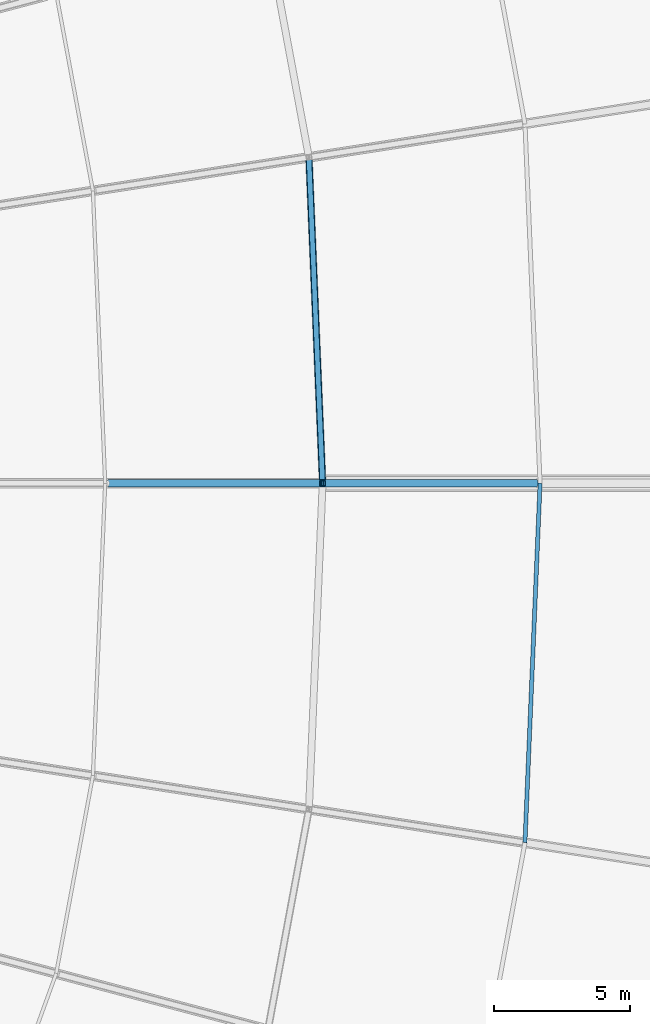
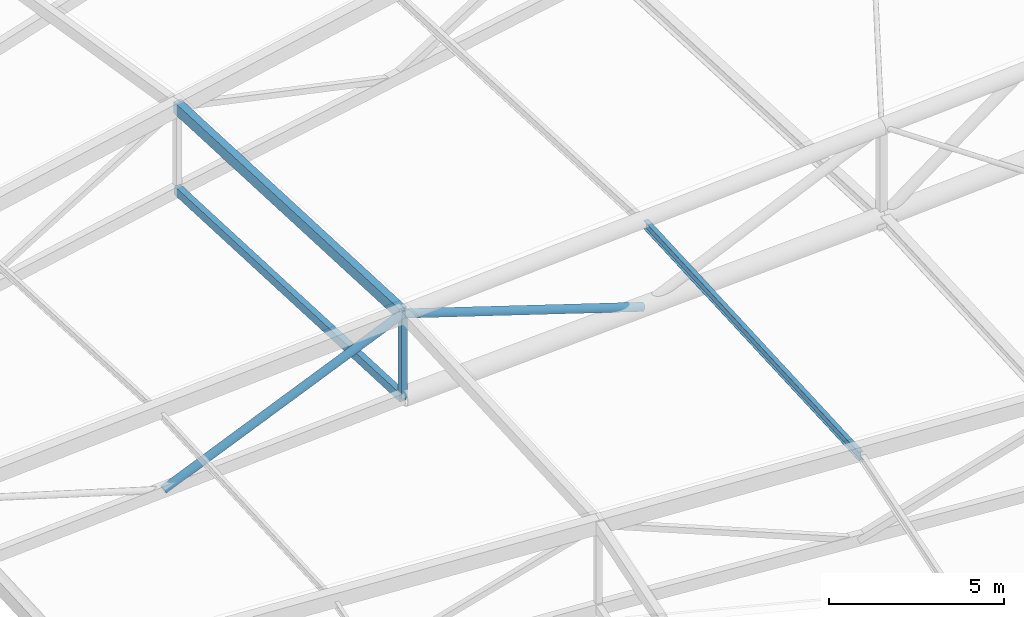
# One storey, part 72 of 143: 5 members, 1 beam.
"""IFC4 building model written with IfcOpenShell, lengths in metres."""

from ifc_helpers import new_model, si_unit, direction, frame, origin, origin_2d, place, context, subcontext, project, spatial, hollow_rectangle, hollow_circle, i_section, extrude, material, material_profile, profile_set, type_object, element, save


model = new_model("IFC4")

# Units and contexts
model_context = context("Model", 3, precision=1e-05, world=origin(), true_north=direction((0.0, 1.0)))
body_context = subcontext(model_context, "Body", "Model", "MODEL_VIEW")
ifc_project = project(units=[si_unit("LENGTHUNIT", "METRE"), si_unit("AREAUNIT", "SQUARE_METRE"), si_unit("VOLUMEUNIT", "CUBIC_METRE"), si_unit("PLANEANGLEUNIT", "RADIAN"), si_unit("MASSUNIT", "GRAM", prefix="KILO")], contexts=[model_context])

# Site, building, storey
site_placement = place(None, origin())
site = spatial("IfcSite", under=ifc_project, at=site_placement, CompositionType="ELEMENT")
building_placement = place(site_placement, origin())
building = spatial("IfcBuilding", under=site, at=building_placement, Name="Mphavela Belvedere Stadium", CompositionType="ELEMENT")
storey_placement = place(building_placement, frame((0.0, 0.0, 28.800048828125)))
storey = spatial("IfcBuildingStorey", under=building, at=storey_placement, Name="RF", CompositionType="ELEMENT", Elevation=28.800048828125)

# Beam
ifc_material_1 = material(Name="Steel S355", Category="steel")
ifc_material_profile_1 = material_profile(ifc_material_1, hollow_rectangle(XDim=0.25, YDim=0.39990234375, WallThickness=0.01611328125, at=origin_2d()), Name="RHS 400x250x16")
ifc_profile_set_1 = profile_set([ifc_material_profile_1], Name="Steel S355")
beam_type = type_object("IfcBeamType", Name="BM-RING-MID", PredefinedType="BEAM", material=ifc_profile_set_1)
beam_placement = place(storey_placement, frame((192.842529296875, 87.0, 2.490234375), z_axis=(-0.041906581182, 0.999068348561, 0.010308896972), x_axis=(-0.999121439966, -0.041908808136, 0.0)))
element("IfcBeam", 1, at=beam_placement, inside=storey, type_object=beam_type, Name="Intermediate roof ring beam RB-MID-01", PredefinedType="BEAM", context=body_context, shape_type="SweptSolid", body=[
    extrude(hollow_rectangle(XDim=0.25, YDim=0.39990234375, WallThickness=0.01611328125, at=origin_2d()), origin(), (0.0, 0.0, 1.0), 12.007080078125),
])

# Members
ifc_material_2 = material(Name="Steel S355", Category="steel")
ifc_material_profile_2 = material_profile(ifc_material_2, hollow_circle(Radius=0.136474609375, WallThickness=0.012451171875, at=origin_2d()), Name="CHS 273x12.5")
ifc_profile_set_2 = profile_set([ifc_material_profile_2], Name="Steel S355")
member_type_1 = type_object("IfcMemberType", Name="MEM-DIAG-273", PredefinedType="BRACE", material=ifc_profile_set_2)
member_1_placement = place(storey_placement, frame((200.7236328125, 87.0, -0.0390625), z_axis=(-0.952166261379, 0.0, 0.305580448805), x_axis=(0.0, -1.0, 0.0)))
element("IfcMember", 2, at=member_1_placement, inside=storey, type_object=member_type_1, Name="Radial roof truss RT-01 web diagonal D4", PredefinedType="BRACE", context=body_context, shape_type="SweptSolid", body=[
    extrude(hollow_circle(Radius=0.136474609375, WallThickness=0.012451171875, at=origin_2d()), origin(), (0.0, 0.0, 1.0), 8.277099609375),
])
member_2_placement = place(storey_placement, frame((192.842529296875, 87.0, 2.490234375), z_axis=(-0.919445293254, 0.0, -0.393217945563), x_axis=(0.0, -1.0, 0.0)))
element("IfcMember", 3, at=member_2_placement, inside=storey, type_object=member_type_1, Name="Radial roof truss RT-01 web diagonal D5", PredefinedType="BRACE", context=body_context, shape_type="SweptSolid", body=[
    extrude(hollow_circle(Radius=0.136474609375, WallThickness=0.012451171875, at=origin_2d()), origin(), (0.0, 0.0, 1.0), 8.57177734375),
])
ifc_material_3 = material(Name="Steel S355", Category="steel")
ifc_material_profile_3 = material_profile(ifc_material_3, hollow_rectangle(XDim=0.199951171875, YDim=0.199951171875, WallThickness=0.010009765625, at=origin_2d()), Name="SHS 200x200x10")
ifc_profile_set_3 = profile_set([ifc_material_profile_3], Name="Steel S355")
member_type_2 = type_object("IfcMemberType", Name="MEM-POST-SHS200", PredefinedType="POST", material=ifc_profile_set_3)
member_3_placement = place(storey_placement, frame((192.842529296875, 87.0, -0.40966796875), z_axis=(0.0, 0.0, 1.0), x_axis=(1.0, 0.0, 0.0)))
element("IfcMember", 4, at=member_3_placement, inside=storey, type_object=member_type_2, Name="Radial roof truss RT-01 post P3", PredefinedType="POST", context=body_context, shape_type="SweptSolid", body=[
    extrude(hollow_rectangle(XDim=0.199951171875, YDim=0.199951171875, WallThickness=0.010009765625, at=origin_2d()), origin(), (0.0, 0.0, 1.0), 2.89990234375),
])
ifc_material_4 = material(Name="Steel S355", Category="steel")
ifc_material_profile_4 = material_profile(ifc_material_4, i_section(OverallWidth=0.14990234375, OverallDepth=0.300048828125, WebThickness=0.007080078125, FlangeThickness=0.0107421875, at=origin_2d()), Name="IPE 300")
ifc_profile_set_4 = profile_set([ifc_material_profile_4], Name="Steel S355")
member_type_3 = type_object("IfcMemberType", Name="MEM-PURLIN-IPE300", PredefinedType="PURLIN", material=ifc_profile_set_4)
member_4_placement = place(storey_placement, frame((200.2900390625, 73.77099609375, 2.93994140625), z_axis=(0.041909020321, 0.999068268854, -0.010306705833), x_axis=(-0.999121337686, 0.041911246458, 0.0)))
element("IfcMember", 5, at=member_4_placement, inside=storey, type_object=member_type_3, Name="Saddle canopy steel purlin 48-2", PredefinedType="PURLIN", context=body_context, shape_type="SweptSolid", body=[
    extrude(i_section(OverallWidth=0.14990234375, OverallDepth=0.300048828125, WebThickness=0.007080078125, FlangeThickness=0.0107421875, at=origin_2d()), origin(), (0.0, 0.0, 1.0), 13.241455078125),
])
ifc_material_5 = material(Name="Steel S355", Category="steel")
ifc_material_profile_5 = material_profile(ifc_material_5, hollow_rectangle(XDim=0.199951171875, YDim=0.300048828125, WallThickness=0.011962890625, at=origin_2d()), Name="RHS 300x200x12")
ifc_profile_set_5 = profile_set([ifc_material_profile_5], Name="Steel S355")
member_type_4 = type_object("IfcMemberType", Name="MEM-SEC-CHORD", PredefinedType="CHORD", material=ifc_profile_set_5)
member_5_placement = place(storey_placement, frame((192.842529296875, 87.0, -0.40966796875), z_axis=(-0.041906581182, 0.999068348561, 0.010308896972), x_axis=(-0.999121439966, -0.041908808136, 0.0)))
element("IfcMember", 6, at=member_5_placement, inside=storey, type_object=member_type_4, Name="Secondary bottom roof tie chord 01", PredefinedType="CHORD", context=body_context, shape_type="SweptSolid", body=[
    extrude(hollow_rectangle(XDim=0.199951171875, YDim=0.300048828125, WallThickness=0.011962890625, at=origin_2d()), origin(), (0.0, 0.0, 1.0), 12.007080078125),
])

save(model, "model.ifc")
